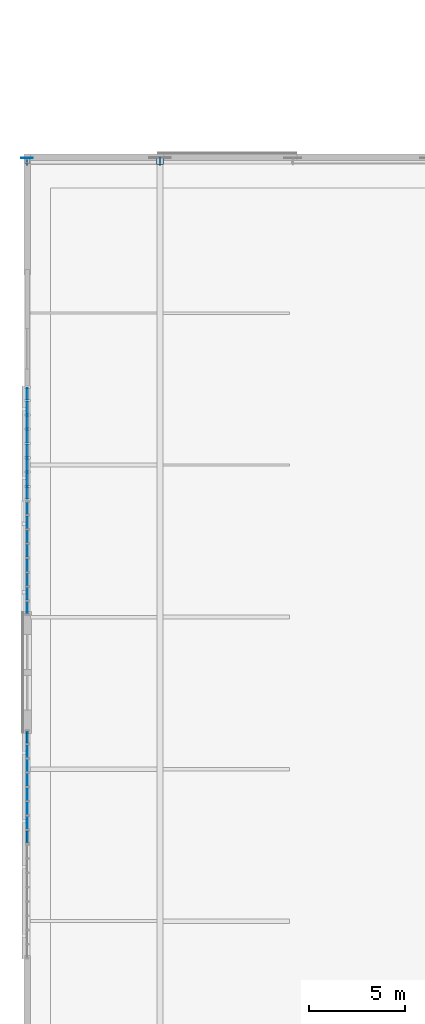
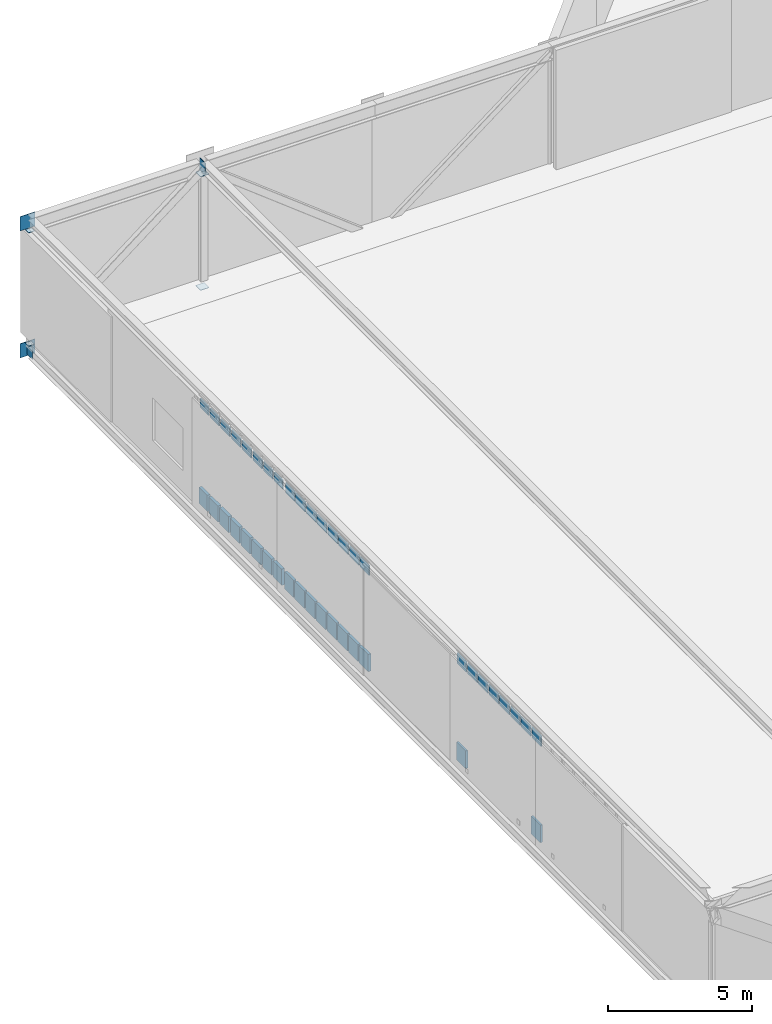
# One storey, part 98 of 135: 50 plates, 3 elements without a shape of their own.
"""IFC4 building model written with IfcOpenShell, lengths in metres."""

from ifc_helpers import new_model, si_unit, direction, frame, origin, origin_2d, place, context, subcontext, project, spatial, rectangle, extrude, material, layer, layer_set, type_object, element, aggregate, save


model = new_model("IFC4")

# Units and contexts
model_context = context("Model", 3, precision=1e-05, world=origin(), true_north=direction((0.0, 1.0)))
body_context = subcontext(model_context, "Body", "Model", "MODEL_VIEW")
ifc_project = project(units=[si_unit("LENGTHUNIT", "METRE"), si_unit("AREAUNIT", "SQUARE_METRE"), si_unit("VOLUMEUNIT", "CUBIC_METRE"), si_unit("PLANEANGLEUNIT", "RADIAN"), si_unit("MASSUNIT", "GRAM", prefix="KILO")], contexts=[model_context])

# Site, building, storey
site_placement = place(None, origin())
site = spatial("IfcSite", under=ifc_project, at=site_placement, CompositionType="ELEMENT")
building_placement = place(site_placement, origin())
building = spatial("IfcBuilding", under=site, at=building_placement, Name="Larkvane Passage Sports Hall", CompositionType="ELEMENT")
storey_placement = place(building_placement, frame((0.0, 0.0, 16.800048828125)))
storey = spatial("IfcBuildingStorey", under=building, at=storey_placement, Name="L03", CompositionType="ELEMENT", Elevation=16.800048828125)

# Curtain wall, plates
ifc_material_1 = material(Name="Thermally broken aluminium and low-E glazing", Category="aluminium")
curtain_wall_type_1 = type_object("IfcCurtainWallType", Name="CW-STICK-FOYER", PredefinedType="USERDEFINED", material=ifc_material_1)
curtain_wall_1_placement = place(storey_placement, origin())
curtain_wall_1 = element("IfcCurtainWall", 1, at=curtain_wall_1_placement, inside=storey, type_object=curtain_wall_type_1, Name="Curtain wall CW5-L03-134", ObjectType="STICK CURTAIN WALL", PredefinedType="USERDEFINED")
ifc_material_2 = material(Name="Fire-stopped shadow-box spandrel panel")
ifc_layer_1 = layer(ifc_material_2, 0.10498046875)
ifc_layer_set_1 = layer_set([ifc_layer_1], Name="Fire-stopped shadow-box spandrel panel")
plate_type_1 = type_object("IfcPlateType", Name="CWP-SPD-105", PredefinedType="CURTAIN_PANEL", material=ifc_layer_set_1)
plate_1_placement = place(storey_placement, frame((0.0, 75.7919921875, 0.080078125), z_axis=(0.0, 0.0, 1.0), x_axis=(0.0, 1.0, 0.0)))
plate_1 = element("IfcPlate", 2, at=plate_1_placement, type_object=plate_type_1, Name="CW-03 panel 1.1", PredefinedType="CURTAIN_PANEL", context=body_context, shape_type="SweptSolid", body=[
    extrude(rectangle(XDim=0.623779296875, YDim=0.10498046875, at=origin_2d()), origin(), (0.0, 0.0, 1.0), 0.72998046875),
])
plate_2_placement = place(storey_placement, frame((0.0, 76.515625, 0.080078125), z_axis=(0.0, 0.0, 1.0), x_axis=(0.0, 1.0, 0.0)))
plate_2 = element("IfcPlate", 3, at=plate_2_placement, type_object=plate_type_1, Name="CW-03 panel 2.1", PredefinedType="CURTAIN_PANEL", context=body_context, shape_type="SweptSolid", body=[
    extrude(rectangle(XDim=0.663818359375, YDim=0.10498046875, at=origin_2d()), origin(), (0.0, 0.0, 1.0), 0.72998046875),
])
plate_3_placement = place(storey_placement, frame((0.0, 77.25927734375, 0.080078125), z_axis=(0.0, 0.0, 1.0), x_axis=(0.0, 1.0, 0.0)))
plate_3 = element("IfcPlate", 4, at=plate_3_placement, type_object=plate_type_1, Name="CW-03 panel 3.1", PredefinedType="CURTAIN_PANEL", context=body_context, shape_type="SweptSolid", body=[
    extrude(rectangle(XDim=0.663818359375, YDim=0.10498046875, at=origin_2d()), origin(), (0.0, 0.0, 1.0), 0.72998046875),
])
plate_4_placement = place(storey_placement, frame((0.0, 78.003173828125, 0.080078125), z_axis=(0.0, 0.0, 1.0), x_axis=(0.0, 1.0, 0.0)))
plate_4 = element("IfcPlate", 5, at=plate_4_placement, type_object=plate_type_1, Name="CW-03 panel 4.1", PredefinedType="CURTAIN_PANEL", context=body_context, shape_type="SweptSolid", body=[
    extrude(rectangle(XDim=0.663818359375, YDim=0.10498046875, at=origin_2d()), origin(), (0.0, 0.0, 1.0), 0.72998046875),
])
plate_5_placement = place(storey_placement, frame((0.0, 78.746826171875, 0.080078125), z_axis=(0.0, 0.0, 1.0), x_axis=(0.0, 1.0, 0.0)))
plate_5 = element("IfcPlate", 6, at=plate_5_placement, type_object=plate_type_1, Name="CW-03 panel 5.1", PredefinedType="CURTAIN_PANEL", context=body_context, shape_type="SweptSolid", body=[
    extrude(rectangle(XDim=0.663818359375, YDim=0.10498046875, at=origin_2d()), origin(), (0.0, 0.0, 1.0), 0.72998046875),
])
plate_6_placement = place(storey_placement, frame((0.0, 79.49072265625, 0.080078125), z_axis=(0.0, 0.0, 1.0), x_axis=(0.0, 1.0, 0.0)))
plate_6 = element("IfcPlate", 7, at=plate_6_placement, type_object=plate_type_1, Name="CW-03 panel 6.1", PredefinedType="CURTAIN_PANEL", context=body_context, shape_type="SweptSolid", body=[
    extrude(rectangle(XDim=0.663818359375, YDim=0.10498046875, at=origin_2d()), origin(), (0.0, 0.0, 1.0), 0.72998046875),
])
plate_7_placement = place(storey_placement, frame((0.0, 80.234375, 0.080078125), z_axis=(0.0, 0.0, 1.0), x_axis=(0.0, 1.0, 0.0)))
plate_7 = element("IfcPlate", 8, at=plate_7_placement, type_object=plate_type_1, Name="CW-03 panel 7.1", PredefinedType="CURTAIN_PANEL", context=body_context, shape_type="SweptSolid", body=[
    extrude(rectangle(XDim=0.663818359375, YDim=0.10498046875, at=origin_2d()), origin(), (0.0, 0.0, 1.0), 0.72998046875),
])
plate_8_placement = place(storey_placement, frame((0.0, 80.9580078125, 0.080078125), z_axis=(0.0, 0.0, 1.0), x_axis=(0.0, 1.0, 0.0)))
plate_8 = element("IfcPlate", 9, at=plate_8_placement, type_object=plate_type_1, Name="CW-03 panel 8.1", PredefinedType="CURTAIN_PANEL", context=body_context, shape_type="SweptSolid", body=[
    extrude(rectangle(XDim=0.623779296875, YDim=0.10498046875, at=origin_2d()), origin(), (0.0, 0.0, 1.0), 0.72998046875),
])

curtain_wall_type_2 = type_object("IfcCurtainWallType", Name="CW-CLINIC", PredefinedType="USERDEFINED", material=ifc_material_1)
curtain_wall_2_placement = place(storey_placement, origin())
curtain_wall_2 = element("IfcCurtainWall", 10, at=curtain_wall_2_placement, inside=storey, type_object=curtain_wall_type_2, Name="Curtain wall CW5-L03-135", ObjectType="UNITISED CURTAIN WALL", PredefinedType="USERDEFINED")
ifc_material_3 = material(Name="Deep insulated facade spandrel panel")
ifc_layer_2 = layer(ifc_material_3, 0.125)
ifc_layer_set_2 = layer_set([ifc_layer_2], Name="Deep insulated facade spandrel panel")
plate_type_2 = type_object("IfcPlateType", Name="CWP-SPD-125", PredefinedType="CURTAIN_PANEL", material=ifc_layer_set_2)
plate_9_placement = place(storey_placement, frame((0.0, 81.749267578125, 0.10986328125), z_axis=(0.0, 0.0, 1.0), x_axis=(0.0, 1.0, 0.0)))
plate_9 = element("IfcPlate", 11, at=plate_9_placement, type_object=plate_type_2, Name="CW-05 panel 1.1", PredefinedType="CURTAIN_PANEL", context=body_context, shape_type="SweptSolid", body=[
    extrude(rectangle(XDim=0.578857421875, YDim=0.125, at=origin_2d()), origin(), (0.0, 0.0, 1.0), 0.68505859375),
])
plate_10_placement = place(storey_placement, frame((0.0, 82.465576171875, 0.10986328125), z_axis=(0.0, 0.0, 1.0), x_axis=(0.0, 1.0, 0.0)))
plate_10 = element("IfcPlate", 12, at=plate_10_placement, type_object=plate_type_2, Name="CW-05 panel 2.1", PredefinedType="CURTAIN_PANEL", context=body_context, shape_type="SweptSolid", body=[
    extrude(rectangle(XDim=0.6337890625, YDim=0.125, at=origin_2d()), origin(), (0.0, 0.0, 1.0), 0.68505859375),
])
plate_11_placement = place(storey_placement, frame((0.0, 83.20947265625, 0.10986328125), z_axis=(0.0, 0.0, 1.0), x_axis=(0.0, 1.0, 0.0)))
plate_11 = element("IfcPlate", 13, at=plate_11_placement, type_object=plate_type_2, Name="CW-05 panel 3.1", PredefinedType="CURTAIN_PANEL", context=body_context, shape_type="SweptSolid", body=[
    extrude(rectangle(XDim=0.6337890625, YDim=0.125, at=origin_2d()), origin(), (0.0, 0.0, 1.0), 0.68505859375),
])
plate_12_placement = place(storey_placement, frame((0.0, 83.953125, 0.10986328125), z_axis=(0.0, 0.0, 1.0), x_axis=(0.0, 1.0, 0.0)))
plate_12 = element("IfcPlate", 14, at=plate_12_placement, type_object=plate_type_2, Name="CW-05 panel 4.1", PredefinedType="CURTAIN_PANEL", context=body_context, shape_type="SweptSolid", body=[
    extrude(rectangle(XDim=0.6337890625, YDim=0.125, at=origin_2d()), origin(), (0.0, 0.0, 1.0), 0.68505859375),
])
plate_13_placement = place(storey_placement, frame((0.0, 84.69677734375, 0.10986328125), z_axis=(0.0, 0.0, 1.0), x_axis=(0.0, 1.0, 0.0)))
plate_13 = element("IfcPlate", 15, at=plate_13_placement, type_object=plate_type_2, Name="CW-05 panel 5.1", PredefinedType="CURTAIN_PANEL", context=body_context, shape_type="SweptSolid", body=[
    extrude(rectangle(XDim=0.6337890625, YDim=0.125, at=origin_2d()), origin(), (0.0, 0.0, 1.0), 0.68505859375),
])
plate_14_placement = place(storey_placement, frame((0.0, 85.440673828125, 0.10986328125), z_axis=(0.0, 0.0, 1.0), x_axis=(0.0, 1.0, 0.0)))
plate_14 = element("IfcPlate", 16, at=plate_14_placement, type_object=plate_type_2, Name="CW-05 panel 6.1", PredefinedType="CURTAIN_PANEL", context=body_context, shape_type="SweptSolid", body=[
    extrude(rectangle(XDim=0.6337890625, YDim=0.125, at=origin_2d()), origin(), (0.0, 0.0, 1.0), 0.68505859375),
])
plate_15_placement = place(storey_placement, frame((0.0, 86.184326171875, 0.10986328125), z_axis=(0.0, 0.0, 1.0), x_axis=(0.0, 1.0, 0.0)))
plate_15 = element("IfcPlate", 17, at=plate_15_placement, type_object=plate_type_2, Name="CW-05 panel 7.1", PredefinedType="CURTAIN_PANEL", context=body_context, shape_type="SweptSolid", body=[
    extrude(rectangle(XDim=0.6337890625, YDim=0.125, at=origin_2d()), origin(), (0.0, 0.0, 1.0), 0.68505859375),
])
plate_16_placement = place(storey_placement, frame((0.0, 86.900634765625, 0.10986328125), z_axis=(0.0, 0.0, 1.0), x_axis=(0.0, 1.0, 0.0)))
plate_16 = element("IfcPlate", 18, at=plate_16_placement, type_object=plate_type_2, Name="CW-05 panel 8.1", PredefinedType="CURTAIN_PANEL", context=body_context, shape_type="SweptSolid", body=[
    extrude(rectangle(XDim=0.578857421875, YDim=0.125, at=origin_2d()), origin(), (0.0, 0.0, 1.0), 0.68505859375),
])

curtain_wall_type_3 = type_object("IfcCurtainWallType", Name="CW-UNIT-VEIL", PredefinedType="USERDEFINED", material=ifc_material_1)
curtain_wall_3_placement = place(storey_placement, origin())
curtain_wall_3 = element("IfcCurtainWall", 19, at=curtain_wall_3_placement, inside=storey, type_object=curtain_wall_type_3, Name="Curtain wall CW5-L03-133", ObjectType="UNITISED CURTAIN WALL", PredefinedType="USERDEFINED")
ifc_material_4 = material(Name="Mineral-wool insulated spandrel cassette")
ifc_layer_3 = layer(ifc_material_4, 0.0849609375)
ifc_layer_set_3 = layer_set([ifc_layer_3], Name="Mineral-wool insulated spandrel cassette")
plate_type_3 = type_object("IfcPlateType", Name="CWP-SPD-85", PredefinedType="CURTAIN_PANEL", material=ifc_layer_set_3)
plate_17_placement = place(storey_placement, frame((0.0, 63.889404296875, 0.06982421875), z_axis=(0.0, 0.0, 1.0), x_axis=(0.0, 1.0, 0.0)))
plate_17 = element("IfcPlate", 20, at=plate_17_placement, type_object=plate_type_3, Name="CW-02 panel 1.1", PredefinedType="CURTAIN_PANEL", context=body_context, shape_type="SweptSolid", body=[
    extrude(rectangle(XDim=0.638671875, YDim=0.0849609375, at=origin_2d()), origin(), (0.0, 0.0, 1.0), 0.7451171875),
])
plate_18_placement = place(storey_placement, frame((0.0, 69.060546875, 0.06982421875), z_axis=(0.0, 0.0, 1.0), x_axis=(0.0, 1.0, 0.0)))
plate_18 = element("IfcPlate", 21, at=plate_18_placement, type_object=plate_type_3, Name="CW-02 panel 8.1", PredefinedType="CURTAIN_PANEL", context=body_context, shape_type="SweptSolid", body=[
    extrude(rectangle(XDim=0.638671875, YDim=0.0849609375, at=origin_2d()), origin(), (0.0, 0.0, 1.0), 0.7451171875),
])
ifc_material_5 = material(Name="Laminated acoustic low-E glazing", Category="glass")
ifc_layer_4 = layer(ifc_material_5, 0.031982421875)
ifc_layer_set_4 = layer_set([ifc_layer_4], Name="Laminated acoustic low-E glazing")
plate_type_4 = type_object("IfcPlateType", Name="CWP-VIS-32", PredefinedType="CURTAIN_PANEL", material=ifc_layer_set_4)
plate_19_placement = place(storey_placement, frame((0.0, 63.889404296875, 4.1328125), z_axis=(0.0, 0.0, 1.0), x_axis=(0.0, 1.0, 0.0)))
plate_19 = element("IfcPlate", 22, at=plate_19_placement, type_object=plate_type_4, Name="CW-02 panel 1.3", PredefinedType="CURTAIN_PANEL", context=body_context, shape_type="SweptSolid", body=[
    extrude(rectangle(XDim=0.638671875, YDim=0.031982421875, at=origin_2d()), origin(), (0.0, 0.0, 1.0), 0.445068359375),
])
plate_20_placement = place(storey_placement, frame((0.0, 64.61572265625, 4.1328125), z_axis=(0.0, 0.0, 1.0), x_axis=(0.0, 1.0, 0.0)))
plate_20 = element("IfcPlate", 23, at=plate_20_placement, type_object=plate_type_4, Name="CW-02 panel 2.3", PredefinedType="CURTAIN_PANEL", context=body_context, shape_type="SweptSolid", body=[
    extrude(rectangle(XDim=0.673828125, YDim=0.031982421875, at=origin_2d()), origin(), (0.0, 0.0, 1.0), 0.445068359375),
])
plate_21_placement = place(storey_placement, frame((0.0, 65.359375, 4.1328125), z_axis=(0.0, 0.0, 1.0), x_axis=(0.0, 1.0, 0.0)))
plate_21 = element("IfcPlate", 24, at=plate_21_placement, type_object=plate_type_4, Name="CW-02 panel 3.3", PredefinedType="CURTAIN_PANEL", context=body_context, shape_type="SweptSolid", body=[
    extrude(rectangle(XDim=0.673828125, YDim=0.031982421875, at=origin_2d()), origin(), (0.0, 0.0, 1.0), 0.445068359375),
])
plate_22_placement = place(storey_placement, frame((0.0, 66.10302734375, 4.1328125), z_axis=(0.0, 0.0, 1.0), x_axis=(0.0, 1.0, 0.0)))
plate_22 = element("IfcPlate", 25, at=plate_22_placement, type_object=plate_type_4, Name="CW-02 panel 4.3", PredefinedType="CURTAIN_PANEL", context=body_context, shape_type="SweptSolid", body=[
    extrude(rectangle(XDim=0.673828125, YDim=0.031982421875, at=origin_2d()), origin(), (0.0, 0.0, 1.0), 0.445068359375),
])
plate_23_placement = place(storey_placement, frame((0.0, 66.846923828125, 4.1328125), z_axis=(0.0, 0.0, 1.0), x_axis=(0.0, 1.0, 0.0)))
plate_23 = element("IfcPlate", 26, at=plate_23_placement, type_object=plate_type_4, Name="CW-02 panel 5.3", PredefinedType="CURTAIN_PANEL", context=body_context, shape_type="SweptSolid", body=[
    extrude(rectangle(XDim=0.673828125, YDim=0.031982421875, at=origin_2d()), origin(), (0.0, 0.0, 1.0), 0.445068359375),
])
plate_24_placement = place(storey_placement, frame((0.0, 67.590576171875, 4.1328125), z_axis=(0.0, 0.0, 1.0), x_axis=(0.0, 1.0, 0.0)))
plate_24 = element("IfcPlate", 27, at=plate_24_placement, type_object=plate_type_4, Name="CW-02 panel 6.3", PredefinedType="CURTAIN_PANEL", context=body_context, shape_type="SweptSolid", body=[
    extrude(rectangle(XDim=0.673828125, YDim=0.031982421875, at=origin_2d()), origin(), (0.0, 0.0, 1.0), 0.445068359375),
])
plate_25_placement = place(storey_placement, frame((0.0, 68.33447265625, 4.1328125), z_axis=(0.0, 0.0, 1.0), x_axis=(0.0, 1.0, 0.0)))
plate_25 = element("IfcPlate", 28, at=plate_25_placement, type_object=plate_type_4, Name="CW-02 panel 7.3", PredefinedType="CURTAIN_PANEL", context=body_context, shape_type="SweptSolid", body=[
    extrude(rectangle(XDim=0.673828125, YDim=0.031982421875, at=origin_2d()), origin(), (0.0, 0.0, 1.0), 0.445068359375),
])
plate_26_placement = place(storey_placement, frame((0.0, 69.060546875, 4.1328125), z_axis=(0.0, 0.0, 1.0), x_axis=(0.0, 1.0, 0.0)))
plate_26 = element("IfcPlate", 29, at=plate_26_placement, type_object=plate_type_4, Name="CW-02 panel 8.3", PredefinedType="CURTAIN_PANEL", context=body_context, shape_type="SweptSolid", body=[
    extrude(rectangle(XDim=0.638671875, YDim=0.031982421875, at=origin_2d()), origin(), (0.0, 0.0, 1.0), 0.445068359375),
])
aggregate(curtain_wall_3, [plate_17, plate_19, plate_20, plate_21, plate_22, plate_23, plate_24, plate_25, plate_18, plate_26])

# Plate
ifc_material_6 = material(Name="High-impact court low-E glazing", Category="glass")
ifc_layer_5 = layer(ifc_material_6, 0.035888671875)
ifc_layer_set_5 = layer_set([ifc_layer_5], Name="High-impact court low-E glazing")
plate_type_5 = type_object("IfcPlateType", Name="CWP-VIS-36", PredefinedType="CURTAIN_PANEL", material=ifc_layer_set_5)
plate_27_placement = place(storey_placement, frame((0.0, 75.7919921875, 4.13818359375), z_axis=(0.0, 0.0, 1.0), x_axis=(0.0, 1.0, 0.0)))
plate_27 = element("IfcPlate", 30, at=plate_27_placement, type_object=plate_type_5, Name="CW-03 panel 1.3", PredefinedType="CURTAIN_PANEL", context=body_context, shape_type="SweptSolid", body=[
    extrude(rectangle(XDim=0.623779296875, YDim=0.035888671875, at=origin_2d()), origin(), (0.0, 0.0, 1.0), 0.429931640625),
])

plate_28_placement = place(storey_placement, frame((0.0, 76.515625, 4.13818359375), z_axis=(0.0, 0.0, 1.0), x_axis=(0.0, 1.0, 0.0)))
plate_28 = element("IfcPlate", 31, at=plate_28_placement, type_object=plate_type_5, Name="CW-03 panel 2.3", PredefinedType="CURTAIN_PANEL", context=body_context, shape_type="SweptSolid", body=[
    extrude(rectangle(XDim=0.663818359375, YDim=0.035888671875, at=origin_2d()), origin(), (0.0, 0.0, 1.0), 0.429931640625),
])

plate_29_placement = place(storey_placement, frame((0.0, 77.25927734375, 4.13818359375), z_axis=(0.0, 0.0, 1.0), x_axis=(0.0, 1.0, 0.0)))
plate_29 = element("IfcPlate", 32, at=plate_29_placement, type_object=plate_type_5, Name="CW-03 panel 3.3", PredefinedType="CURTAIN_PANEL", context=body_context, shape_type="SweptSolid", body=[
    extrude(rectangle(XDim=0.663818359375, YDim=0.035888671875, at=origin_2d()), origin(), (0.0, 0.0, 1.0), 0.429931640625),
])

plate_30_placement = place(storey_placement, frame((0.0, 78.003173828125, 4.13818359375), z_axis=(0.0, 0.0, 1.0), x_axis=(0.0, 1.0, 0.0)))
plate_30 = element("IfcPlate", 33, at=plate_30_placement, type_object=plate_type_5, Name="CW-03 panel 4.3", PredefinedType="CURTAIN_PANEL", context=body_context, shape_type="SweptSolid", body=[
    extrude(rectangle(XDim=0.663818359375, YDim=0.035888671875, at=origin_2d()), origin(), (0.0, 0.0, 1.0), 0.429931640625),
])

plate_31_placement = place(storey_placement, frame((0.0, 78.746826171875, 4.13818359375), z_axis=(0.0, 0.0, 1.0), x_axis=(0.0, 1.0, 0.0)))
plate_31 = element("IfcPlate", 34, at=plate_31_placement, type_object=plate_type_5, Name="CW-03 panel 5.3", PredefinedType="CURTAIN_PANEL", context=body_context, shape_type="SweptSolid", body=[
    extrude(rectangle(XDim=0.663818359375, YDim=0.035888671875, at=origin_2d()), origin(), (0.0, 0.0, 1.0), 0.429931640625),
])

plate_32_placement = place(storey_placement, frame((0.0, 79.49072265625, 4.13818359375), z_axis=(0.0, 0.0, 1.0), x_axis=(0.0, 1.0, 0.0)))
plate_32 = element("IfcPlate", 35, at=plate_32_placement, type_object=plate_type_5, Name="CW-03 panel 6.3", PredefinedType="CURTAIN_PANEL", context=body_context, shape_type="SweptSolid", body=[
    extrude(rectangle(XDim=0.663818359375, YDim=0.035888671875, at=origin_2d()), origin(), (0.0, 0.0, 1.0), 0.429931640625),
])

plate_33_placement = place(storey_placement, frame((0.0, 80.234375, 4.13818359375), z_axis=(0.0, 0.0, 1.0), x_axis=(0.0, 1.0, 0.0)))
plate_33 = element("IfcPlate", 36, at=plate_33_placement, type_object=plate_type_5, Name="CW-03 panel 7.3", PredefinedType="CURTAIN_PANEL", context=body_context, shape_type="SweptSolid", body=[
    extrude(rectangle(XDim=0.663818359375, YDim=0.035888671875, at=origin_2d()), origin(), (0.0, 0.0, 1.0), 0.429931640625),
])

plate_34_placement = place(storey_placement, frame((0.0, 80.9580078125, 4.13818359375), z_axis=(0.0, 0.0, 1.0), x_axis=(0.0, 1.0, 0.0)))
plate_34 = element("IfcPlate", 37, at=plate_34_placement, type_object=plate_type_5, Name="CW-03 panel 8.3", PredefinedType="CURTAIN_PANEL", context=body_context, shape_type="SweptSolid", body=[
    extrude(rectangle(XDim=0.623779296875, YDim=0.035888671875, at=origin_2d()), origin(), (0.0, 0.0, 1.0), 0.429931640625),
])

aggregate(curtain_wall_1, [plate_1, plate_27, plate_2, plate_28, plate_3, plate_29, plate_4, plate_30, plate_5, plate_31, plate_6, plate_32, plate_7, plate_33, plate_8, plate_34])

ifc_material_7 = material(Name="Triple-laminated typhoon glazing", Category="glass")
ifc_layer_6 = layer(ifc_material_7, 0.0419921875)
ifc_layer_set_6 = layer_set([ifc_layer_6], Name="Triple-laminated typhoon glazing")
plate_type_6 = type_object("IfcPlateType", Name="CWP-VIS-42", PredefinedType="CURTAIN_PANEL", material=ifc_layer_set_6)
plate_35_placement = place(storey_placement, frame((0.0, 81.749267578125, 4.15283203125), z_axis=(0.0, 0.0, 1.0), x_axis=(0.0, 1.0, 0.0)))
plate_35 = element("IfcPlate", 38, at=plate_35_placement, type_object=plate_type_6, Name="CW-05 panel 1.3", PredefinedType="CURTAIN_PANEL", context=body_context, shape_type="SweptSolid", body=[
    extrude(rectangle(XDim=0.578857421875, YDim=0.0419921875, at=origin_2d()), origin(), (0.0, 0.0, 1.0), 0.385009765625),
])

plate_36_placement = place(storey_placement, frame((0.0, 82.465576171875, 4.15283203125), z_axis=(0.0, 0.0, 1.0), x_axis=(0.0, 1.0, 0.0)))
plate_36 = element("IfcPlate", 39, at=plate_36_placement, type_object=plate_type_6, Name="CW-05 panel 2.3", PredefinedType="CURTAIN_PANEL", context=body_context, shape_type="SweptSolid", body=[
    extrude(rectangle(XDim=0.6337890625, YDim=0.0419921875, at=origin_2d()), origin(), (0.0, 0.0, 1.0), 0.385009765625),
])

plate_37_placement = place(storey_placement, frame((0.0, 83.20947265625, 4.15283203125), z_axis=(0.0, 0.0, 1.0), x_axis=(0.0, 1.0, 0.0)))
plate_37 = element("IfcPlate", 40, at=plate_37_placement, type_object=plate_type_6, Name="CW-05 panel 3.3", PredefinedType="CURTAIN_PANEL", context=body_context, shape_type="SweptSolid", body=[
    extrude(rectangle(XDim=0.6337890625, YDim=0.0419921875, at=origin_2d()), origin(), (0.0, 0.0, 1.0), 0.385009765625),
])

plate_38_placement = place(storey_placement, frame((0.0, 83.953125, 4.15283203125), z_axis=(0.0, 0.0, 1.0), x_axis=(0.0, 1.0, 0.0)))
plate_38 = element("IfcPlate", 41, at=plate_38_placement, type_object=plate_type_6, Name="CW-05 panel 4.3", PredefinedType="CURTAIN_PANEL", context=body_context, shape_type="SweptSolid", body=[
    extrude(rectangle(XDim=0.6337890625, YDim=0.0419921875, at=origin_2d()), origin(), (0.0, 0.0, 1.0), 0.385009765625),
])

plate_39_placement = place(storey_placement, frame((0.0, 84.69677734375, 4.15283203125), z_axis=(0.0, 0.0, 1.0), x_axis=(0.0, 1.0, 0.0)))
plate_39 = element("IfcPlate", 42, at=plate_39_placement, type_object=plate_type_6, Name="CW-05 panel 5.3", PredefinedType="CURTAIN_PANEL", context=body_context, shape_type="SweptSolid", body=[
    extrude(rectangle(XDim=0.6337890625, YDim=0.0419921875, at=origin_2d()), origin(), (0.0, 0.0, 1.0), 0.385009765625),
])

plate_40_placement = place(storey_placement, frame((0.0, 85.440673828125, 4.15283203125), z_axis=(0.0, 0.0, 1.0), x_axis=(0.0, 1.0, 0.0)))
plate_40 = element("IfcPlate", 43, at=plate_40_placement, type_object=plate_type_6, Name="CW-05 panel 6.3", PredefinedType="CURTAIN_PANEL", context=body_context, shape_type="SweptSolid", body=[
    extrude(rectangle(XDim=0.6337890625, YDim=0.0419921875, at=origin_2d()), origin(), (0.0, 0.0, 1.0), 0.385009765625),
])

plate_41_placement = place(storey_placement, frame((0.0, 86.184326171875, 4.15283203125), z_axis=(0.0, 0.0, 1.0), x_axis=(0.0, 1.0, 0.0)))
plate_41 = element("IfcPlate", 44, at=plate_41_placement, type_object=plate_type_6, Name="CW-05 panel 7.3", PredefinedType="CURTAIN_PANEL", context=body_context, shape_type="SweptSolid", body=[
    extrude(rectangle(XDim=0.6337890625, YDim=0.0419921875, at=origin_2d()), origin(), (0.0, 0.0, 1.0), 0.385009765625),
])

plate_42_placement = place(storey_placement, frame((0.0, 86.900634765625, 4.15283203125), z_axis=(0.0, 0.0, 1.0), x_axis=(0.0, 1.0, 0.0)))
plate_42 = element("IfcPlate", 45, at=plate_42_placement, type_object=plate_type_6, Name="CW-05 panel 8.3", PredefinedType="CURTAIN_PANEL", context=body_context, shape_type="SweptSolid", body=[
    extrude(rectangle(XDim=0.578857421875, YDim=0.0419921875, at=origin_2d()), origin(), (0.0, 0.0, 1.0), 0.385009765625),
])

aggregate(curtain_wall_2, [plate_9, plate_35, plate_10, plate_36, plate_11, plate_37, plate_12, plate_38, plate_13, plate_39, plate_14, plate_40, plate_15, plate_41, plate_16, plate_42])

# Plates
ifc_material_8 = material(Name="Steel S355JR", Category="steel")
ifc_layer_7 = layer(ifc_material_8, 0.011962890625)
ifc_layer_set_7 = layer_set([ifc_layer_7], Name="Steel S355JR")
plate_type_7 = type_object("IfcPlateType", Name="PLT-CAP-12", PredefinedType="SHEET", material=ifc_layer_set_7)
for number, where, z_axis, x_axis, name in (
    (46, (0.0, 99.0, -0.33203125), (0.0, 0.0, 1.0), (1.0, 0.0, 0.0), "Hollow section sealed end cap plate 0123"),
    (47, (0.0, 99.0, 4.4619140625), (0.0, 0.0, 1.0), (1.0, 0.0, 0.0), "Hollow section sealed end cap plate 0124"),
):
    element("IfcPlate", number, at=place(storey_placement, frame(where, z_axis=z_axis, x_axis=x_axis)), inside=storey, type_object=plate_type_7, Name=name, PredefinedType="SHEET", context=body_context, shape_type="SweptSolid", body=[
        extrude(rectangle(XDim=0.239990234375, YDim=0.239990234375, at=origin_2d()), origin(), (0.0, 0.0, 1.0), 0.011962890625),
    ])
ifc_material_9 = material(Name="Steel S460N", Category="steel")
ifc_layer_8 = layer(ifc_material_9, 0.02001953125)
ifc_layer_set_8 = layer_set([ifc_layer_8], Name="Steel S460N")
plate_type_8 = type_object("IfcPlateType", Name="PLT-CAP-20", PredefinedType="SHEET", material=ifc_layer_set_8)
for number, where, z_axis, x_axis, name in (
    (48, (-0.0078125, 99.0, -0.8720703125), (0.0, 0.0, 1.0), (0.0, 1.0, 0.0), "Hollow section sealed end cap plate 0117"),
    (49, (6.907958984375, 99.0, 4.510009765625), (0.0, 0.0, 1.0), (0.0, 1.0, 0.0), "Hollow section sealed end cap plate 0118"),
):
    element("IfcPlate", number, at=place(storey_placement, frame(where, z_axis=z_axis, x_axis=x_axis)), inside=storey, type_object=plate_type_8, Name=name, PredefinedType="SHEET", context=body_context, shape_type="SweptSolid", body=[
        extrude(rectangle(XDim=0.409912109375, YDim=0.028076171875, at=origin_2d()), origin(), (0.0, 0.0, 1.0), 0.50390625),
    ])
for number, where, z_axis, x_axis, name in (
    (50, (6.89990234375, 99.0, -0.340087890625), (0.0, 0.0, 1.0), (1.0, 0.0, 0.0), "Hollow section sealed end cap plate 0125"),
    (51, (6.89990234375, 99.0, 4.4619140625), (0.0, 0.0, 1.0), (1.0, 0.0, 0.0), "Hollow section sealed end cap plate 0126"),
):
    element("IfcPlate", number, at=place(storey_placement, frame(where, z_axis=z_axis, x_axis=x_axis)), inside=storey, type_object=plate_type_8, Name=name, PredefinedType="SHEET", context=body_context, shape_type="SweptSolid", body=[
        extrude(rectangle(XDim=0.340087890625, YDim=0.340087890625, at=origin_2d()), origin(), (0.0, 0.0, 1.0), 0.02001953125),
    ])
ifc_layer_9 = layer(ifc_material_9, 0.01611328125)
ifc_layer_set_9 = layer_set([ifc_layer_9], Name="Steel S460N")
plate_type_9 = type_object("IfcPlateType", Name="PLT-GUS-16", PredefinedType="USERDEFINED", material=ifc_layer_set_9)
for number, where, z_axis, x_axis, name in (
    (52, (0.0, 99.157958984375, -0.9140625), (0.0, 0.0, 1.0), (1.0, 0.0, 0.0), "Truss node gusset plate ND-1B (CT-W3A-2)"),
    (53, (0.0, 99.157958984375, 4.455810546875), (0.0, 0.0, 1.0), (1.0, 0.0, 0.0), "Truss node gusset plate ND-1T (CT-W3A-2)"),
):
    element("IfcPlate", number, at=place(storey_placement, frame(where, z_axis=z_axis, x_axis=x_axis)), inside=storey, type_object=plate_type_9, Name=name, ObjectType="GUSSET PLATE", PredefinedType="USERDEFINED", context=body_context, shape_type="SweptSolid", body=[
        extrude(rectangle(XDim=0.60009765625, YDim=0.01611328125, at=origin_2d()), origin(), (0.0, 0.0, 1.0), 0.60009765625),
    ])

save(model, "model.ifc")
